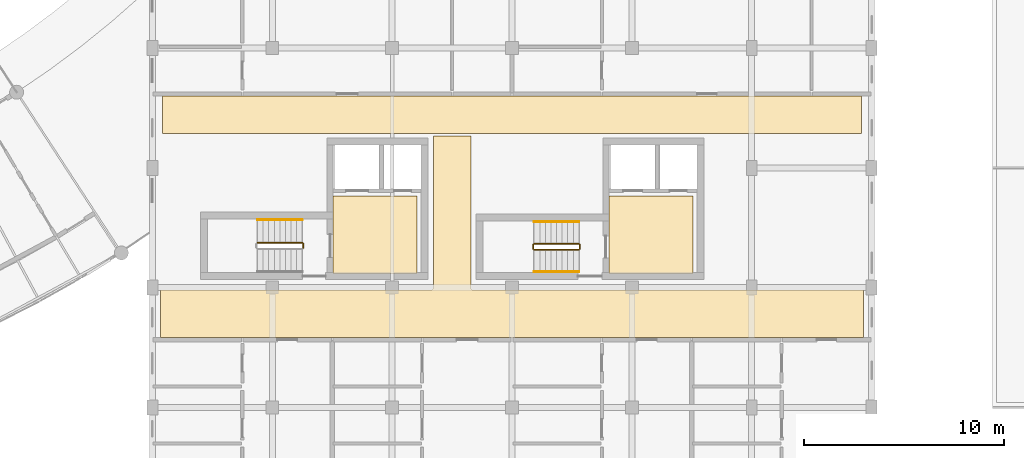
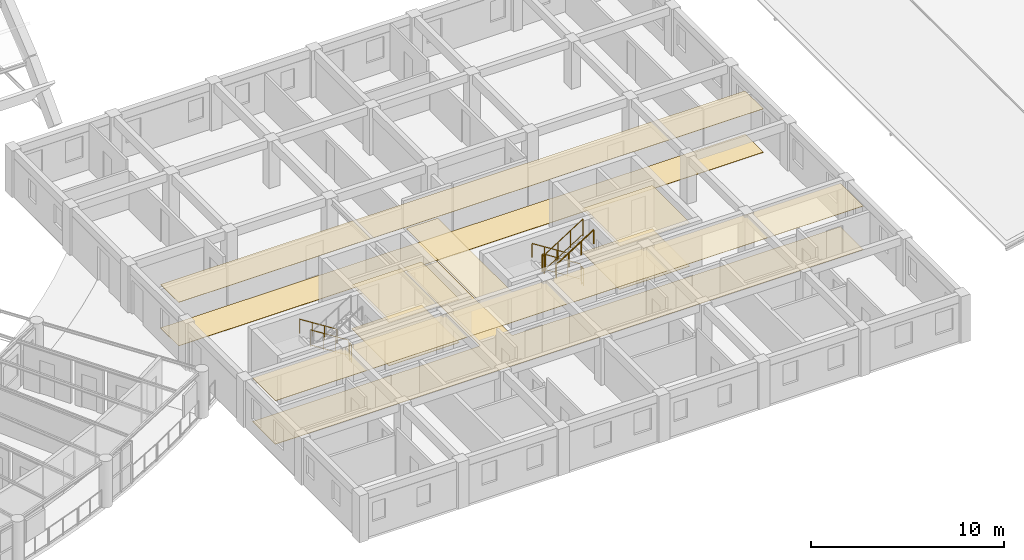
# One storey, part 114 of 123: 9 railings, 8 coverings.
"""IFC4 building model written with IfcOpenShell, lengths in metres."""

from ifc_helpers import new_model, si_unit, direction, frame, origin, origin_2d, place, context, subcontext, project, spatial, polyline, circle, outline, extrude, material, layer, layer_set, type_object, element, save


model = new_model("IFC4")

# Units and contexts
model_context = context("Model", 3, precision=1e-05, world=origin(), true_north=direction((0.0, 1.0)))
body_context = subcontext(model_context, "Body", "Model", "MODEL_VIEW")
ifc_project = project(units=[si_unit("LENGTHUNIT", "METRE"), si_unit("AREAUNIT", "SQUARE_METRE"), si_unit("VOLUMEUNIT", "CUBIC_METRE"), si_unit("PLANEANGLEUNIT", "RADIAN"), si_unit("MASSUNIT", "GRAM", prefix="KILO"), si_unit("POWERUNIT", "WATT"), si_unit("THERMODYNAMICTEMPERATUREUNIT", "KELVIN")], contexts=[model_context])

# Site, building, storey
site_placement = place(None, origin())
site = spatial("IfcSite", under=ifc_project, at=site_placement, CompositionType="ELEMENT")
building_placement = place(site_placement, origin())
building = spatial("IfcBuilding", under=site, at=building_placement, Name="Ruvembo Vaulted Housing Court", CompositionType="ELEMENT")
storey_placement = place(building_placement, frame((0.0, 0.0, 7.699951171875)))
storey = spatial("IfcBuildingStorey", under=building, at=storey_placement, Name="L02", CompositionType="ELEMENT", Elevation=7.699951171875)

# Coverings
ifc_material_1 = material(Name="Perforated Mineral-Fibre Acoustic Tile", Category="gypsum")
ifc_layer_1 = layer(ifc_material_1, 0.02001953125, Name="Perforated Mineral-Fibre Acoustic Tile")
ifc_layer_set_1 = layer_set([ifc_layer_1], Name="Perforated Mineral-Fibre Acoustic Tile")
covering_type_1 = type_object("IfcCoveringType", Name="COV-CEIL-ACOUST", PredefinedType="CEILING", material=ifc_layer_set_1)
covering_1_placement = place(storey_placement, frame((0.0, 0.0, 2.75)))
element("IfcCovering", 1, at=covering_1_placement, inside=storey, type_object=covering_type_1, Name="Protected Core Lobby C1 Ceiling", PredefinedType="CEILING", context=body_context, shape_type="SweptSolid", body=[
    extrude(outline(polyline([(115.25, 16.60009765625), (111.050048828125, 16.60009765625), (111.050048828125, 12.699951171875), (115.25, 12.699951171875), (115.25, 16.60009765625)])), origin(), (0.0, 0.0, 1.0), 0.02001953125),
])
covering_2_placement = place(storey_placement, frame((0.0, 0.0, 2.75)))
element("IfcCovering", 2, at=covering_2_placement, inside=storey, type_object=covering_type_1, Name="Protected Core Lobby C2 Ceiling", PredefinedType="CEILING", context=body_context, shape_type="SweptSolid", body=[
    extrude(outline(polyline([(129.050048828125, 16.60009765625), (124.85009765625, 16.60009765625), (124.85009765625, 12.699951171875), (129.050048828125, 12.699951171875), (129.050048828125, 16.60009765625)])), origin(), (0.0, 0.0, 1.0), 0.02001953125),
])
covering_3_placement = place(storey_placement, frame((0.0, 0.0, 2.75)))
element("IfcCovering", 3, at=covering_3_placement, inside=storey, type_object=covering_type_1, Name="Block C L02 Corridor Ceiling", PredefinedType="CEILING", context=body_context, shape_type="SweptSolid", body=[
    extrude(outline(polyline([(137.590087890625, 9.510009765625), (137.590087890625, 11.889892578125), (118.050048828125, 11.889892578125), (118.039306640625, 11.890380859375), (118.028564453125, 11.89208984375), (118.01806640625, 11.894775390625), (118.0078125, 11.8984375), (117.998046875, 11.903076171875), (117.989013671875, 11.908447265625), (117.980224609375, 11.9150390625), (117.97216796875, 11.922119140625), (117.965087890625, 11.93017578125), (117.95849609375, 11.93896484375), (117.952880859375, 11.947998046875), (117.948486328125, 11.9580078125), (117.944580078125, 11.968017578125), (117.942138671875, 11.978515625), (117.9404296875, 11.9892578125), (117.93994140625, 12.0), (117.93994140625, 19.590087890625), (116.06005859375, 19.590087890625), (116.06005859375, 12.0), (116.0595703125, 11.9892578125), (116.057861328125, 11.978515625), (116.055419921875, 11.968017578125), (116.051513671875, 11.9580078125), (116.047119140625, 11.947998046875), (116.04150390625, 11.93896484375), (116.034912109375, 11.93017578125), (116.02783203125, 11.922119140625), (116.019775390625, 11.9150390625), (116.010986328125, 11.908447265625), (116.001953125, 11.903076171875), (115.9921875, 11.8984375), (115.98193359375, 11.894775390625), (115.971435546875, 11.89208984375), (115.960693359375, 11.890380859375), (115.949951171875, 11.889892578125), (102.409912109375, 11.889892578125), (102.409912109375, 9.510009765625), (137.590087890625, 9.510009765625)])), origin(), (0.0, 0.0, 1.0), 0.02001953125),
])
covering_4_placement = place(storey_placement, frame((0.0, 0.0, 2.75)))
element("IfcCovering", 4, at=covering_4_placement, inside=storey, type_object=covering_type_1, Name="Block C L02 North Sub-Corridor Ceiling", PredefinedType="CEILING", context=body_context, shape_type="SweptSolid", body=[
    extrude(outline(polyline([(102.510009765625, 19.7099609375), (137.489990234375, 19.7099609375), (137.489990234375, 21.590087890625), (102.510009765625, 21.590087890625), (102.510009765625, 19.7099609375)])), origin(), (0.0, 0.0, 1.0), 0.02001953125),
])
ifc_material_2 = material(Name="Polished Cement-Aggregate Terrazzo", Category="stone")
ifc_layer_2 = layer(ifc_material_2, 0.02197265625, Name="Polished Cement-Aggregate Terrazzo")
ifc_layer_set_2 = layer_set([ifc_layer_2], Name="Polished Cement-Aggregate Terrazzo")
covering_type_2 = type_object("IfcCoveringType", Name="COV-FLR-CERAMIC", PredefinedType="FLOORING", material=ifc_layer_set_2)
covering_5_placement = place(storey_placement, origin())
element("IfcCovering", 5, at=covering_5_placement, inside=storey, type_object=covering_type_2, Name="Protected Core Lobby C1 Flooring", PredefinedType="FLOORING", context=body_context, shape_type="SweptSolid", body=[
    extrude(outline(polyline([(115.25, 16.60009765625), (111.050048828125, 16.60009765625), (111.050048828125, 12.699951171875), (115.25, 12.699951171875), (115.25, 16.60009765625)])), origin(), (0.0, 0.0, 1.0), 0.02197265625),
])
covering_6_placement = place(storey_placement, origin())
element("IfcCovering", 6, at=covering_6_placement, inside=storey, type_object=covering_type_2, Name="Protected Core Lobby C2 Flooring", PredefinedType="FLOORING", context=body_context, shape_type="SweptSolid", body=[
    extrude(outline(polyline([(129.050048828125, 16.60009765625), (124.85009765625, 16.60009765625), (124.85009765625, 12.699951171875), (129.050048828125, 12.699951171875), (129.050048828125, 16.60009765625)])), origin(), (0.0, 0.0, 1.0), 0.02197265625),
])
covering_7_placement = place(storey_placement, origin())
element("IfcCovering", 7, at=covering_7_placement, inside=storey, type_object=covering_type_2, Name="Block C L02 Corridor Flooring", PredefinedType="FLOORING", context=body_context, shape_type="SweptSolid", body=[
    extrude(outline(polyline([(137.590087890625, 9.510009765625), (137.590087890625, 11.889892578125), (118.050048828125, 11.889892578125), (118.039306640625, 11.890380859375), (118.028564453125, 11.89208984375), (118.01806640625, 11.894775390625), (118.0078125, 11.8984375), (117.998046875, 11.903076171875), (117.989013671875, 11.908447265625), (117.980224609375, 11.9150390625), (117.97216796875, 11.922119140625), (117.965087890625, 11.93017578125), (117.95849609375, 11.93896484375), (117.952880859375, 11.947998046875), (117.948486328125, 11.9580078125), (117.944580078125, 11.968017578125), (117.942138671875, 11.978515625), (117.9404296875, 11.9892578125), (117.93994140625, 12.0), (117.93994140625, 19.590087890625), (116.06005859375, 19.590087890625), (116.06005859375, 12.0), (116.0595703125, 11.9892578125), (116.057861328125, 11.978515625), (116.055419921875, 11.968017578125), (116.051513671875, 11.9580078125), (116.047119140625, 11.947998046875), (116.04150390625, 11.93896484375), (116.034912109375, 11.93017578125), (116.02783203125, 11.922119140625), (116.019775390625, 11.9150390625), (116.010986328125, 11.908447265625), (116.001953125, 11.903076171875), (115.9921875, 11.8984375), (115.98193359375, 11.894775390625), (115.971435546875, 11.89208984375), (115.960693359375, 11.890380859375), (115.949951171875, 11.889892578125), (102.409912109375, 11.889892578125), (102.409912109375, 9.510009765625), (137.590087890625, 9.510009765625)])), origin(), (0.0, 0.0, 1.0), 0.02197265625),
])
covering_8_placement = place(storey_placement, origin())
element("IfcCovering", 8, at=covering_8_placement, inside=storey, type_object=covering_type_2, Name="Block C L02 North Sub-Corridor Flooring", PredefinedType="FLOORING", context=body_context, shape_type="SweptSolid", body=[
    extrude(outline(polyline([(102.510009765625, 19.7099609375), (137.489990234375, 19.7099609375), (137.489990234375, 21.590087890625), (102.510009765625, 21.590087890625), (102.510009765625, 19.7099609375)])), origin(), (0.0, 0.0, 1.0), 0.02197265625),
])

# Railings
ifc_material_3 = material(Name="Painted Galvanised Steel S275", Category="steel")
ifc_layer_3 = layer(ifc_material_3, 0.06005859375, Name="Painted Galvanised Steel S275")
ifc_layer_set_3 = layer_set([ifc_layer_3], Name="Painted Galvanised Steel S275")
railing_type_1 = type_object("IfcRailingType", Name="RL-STAIR-GR1100", PredefinedType="GUARDRAIL", material=ifc_layer_set_3)
railing_1_placement = place(storey_placement, frame((109.5, 14.25, 0.177734375)))
element("IfcRailing", 9, at=railing_1_placement, inside=storey, type_object=railing_type_1, Name="L02 ST-C1 stair guard 1", PredefinedType="GUARDRAIL", context=body_context, shape_type="SweptSolid", body=[
    extrude(circle(Radius=0.02392578125, at=origin_2d()), frame((0.0, 0.0, 1.076171875), z_axis=(-0.84418770128, 0.0, 0.536047689118), x_axis=(0.0, -1.0, 0.0)), (0.0, 0.0, 1.0), 2.6533203125),
    extrude(circle(Radius=0.01806640625, at=origin_2d()), frame((0.0, 0.0, 0.1201171875), z_axis=(-0.84418770128, 0.0, 0.536047689118), x_axis=(0.0, -1.0, 0.0)), (0.0, 0.0, 1.0), 2.6533203125),
    extrude(circle(Radius=0.02099609375, at=origin_2d()), origin(), (0.0, 0.0, 1.0), 1.052001953125),
    extrude(circle(Radius=0.02099609375, at=origin_2d()), frame((-0.74658203125, 0.0, 0.47412109375)), (0.0, 0.0, 1.0), 1.052001953125),
    extrude(circle(Radius=0.02099609375, at=origin_2d()), frame((-1.493408203125, 0.0, 0.9482421875)), (0.0, 0.0, 1.0), 1.052001953125),
    extrude(circle(Radius=0.02099609375, at=origin_2d()), frame((-2.239990234375, 0.0, 1.42236328125)), (0.0, 0.0, 1.0), 1.052001953125),
])
railing_2_placement = place(storey_placement, frame((109.550048828125, 14.199951171875, 0.0)))
element("IfcRailing", 10, at=railing_2_placement, inside=storey, type_object=railing_type_1, Name="L02 ST-C1 stair guard 4", PredefinedType="GUARDRAIL", context=body_context, shape_type="SweptSolid", body=[
    extrude(circle(Radius=0.02392578125, at=origin_2d()), frame((0.0, 0.0, 1.076171875), z_axis=(0.0, -1.0, 0.0), x_axis=(1.0, 0.0, 0.0)), (0.0, 0.0, 1.0), 0.199951171875),
    extrude(circle(Radius=0.01806640625, at=origin_2d()), frame((0.0, 0.0, 0.1201171875), z_axis=(0.0, -1.0, 0.0), x_axis=(1.0, 0.0, 0.0)), (0.0, 0.0, 1.0), 0.199951171875),
    extrude(circle(Radius=0.02099609375, at=origin_2d()), origin(), (0.0, 0.0, 1.0), 1.052001953125),
    extrude(circle(Radius=0.02099609375, at=origin_2d()), frame((0.0, -0.199951171875, 0.0)), (0.0, 0.0, 1.0), 1.052001953125),
])
railing_3_placement = place(storey_placement, frame((123.35009765625, 14.199951171875, 0.177734375)))
element("IfcRailing", 11, at=railing_3_placement, inside=storey, type_object=railing_type_1, Name="L02 ST-C2 stair guard 1", PredefinedType="GUARDRAIL", context=body_context, shape_type="SweptSolid", body=[
    extrude(circle(Radius=0.02392578125, at=origin_2d()), frame((0.0, 0.0, 1.076171875), z_axis=(-0.84418770128, 0.0, 0.536047689118), x_axis=(0.0, -1.0, 0.0)), (0.0, 0.0, 1.0), 2.6533203125),
    extrude(circle(Radius=0.01806640625, at=origin_2d()), frame((0.0, 0.0, 0.1201171875), z_axis=(-0.84418770128, 0.0, 0.536047689118), x_axis=(0.0, -1.0, 0.0)), (0.0, 0.0, 1.0), 2.6533203125),
    extrude(circle(Radius=0.02099609375, at=origin_2d()), origin(), (0.0, 0.0, 1.0), 1.052001953125),
    extrude(circle(Radius=0.02099609375, at=origin_2d()), frame((-0.74658203125, 0.0, 0.47412109375)), (0.0, 0.0, 1.0), 1.052001953125),
    extrude(circle(Radius=0.02099609375, at=origin_2d()), frame((-1.493408203125, 0.0, 0.9482421875)), (0.0, 0.0, 1.0), 1.052001953125),
    extrude(circle(Radius=0.02099609375, at=origin_2d()), frame((-2.239990234375, 0.0, 1.42236328125)), (0.0, 0.0, 1.0), 1.052001953125),
])
railing_4_placement = place(storey_placement, frame((121.06005859375, 14.14990234375, 1.60009765625)))
element("IfcRailing", 12, at=railing_4_placement, inside=storey, type_object=railing_type_1, Name="L02 ST-C2 stair guard 2", PredefinedType="GUARDRAIL", context=body_context, shape_type="SweptSolid", body=[
    extrude(circle(Radius=0.02392578125, at=origin_2d()), frame((0.0, 0.0, 1.076171875), z_axis=(0.0, -1.0, 0.0), x_axis=(1.0, 0.0, 0.0)), (0.0, 0.0, 1.0), 0.199951171875),
    extrude(circle(Radius=0.01806640625, at=origin_2d()), frame((0.0, 0.0, 0.1201171875), z_axis=(0.0, -1.0, 0.0), x_axis=(1.0, 0.0, 0.0)), (0.0, 0.0, 1.0), 0.199951171875),
    extrude(circle(Radius=0.02099609375, at=origin_2d()), origin(), (0.0, 0.0, 1.0), 1.052001953125),
    extrude(circle(Radius=0.02099609375, at=origin_2d()), frame((0.0, -0.199951171875, 0.0)), (0.0, 0.0, 1.0), 1.052001953125),
])
railing_5_placement = place(storey_placement, frame((121.110107421875, 13.89990234375, 1.77783203125)))
element("IfcRailing", 13, at=railing_5_placement, inside=storey, type_object=railing_type_1, Name="L02 ST-C2 stair guard 3", PredefinedType="GUARDRAIL", context=body_context, shape_type="SweptSolid", body=[
    extrude(circle(Radius=0.02392578125, at=origin_2d()), frame((0.0, 0.0, 1.076171875), z_axis=(0.8442293374, 0.0, 0.53598211339), x_axis=(0.0, 1.0, 0.0)), (0.0, 0.0, 1.0), 2.6533203125),
    extrude(circle(Radius=0.01806640625, at=origin_2d()), frame((0.0, 0.0, 0.1201171875), z_axis=(0.8442293374, 0.0, 0.53598211339), x_axis=(0.0, 1.0, 0.0)), (0.0, 0.0, 1.0), 2.6533203125),
    extrude(circle(Radius=0.02099609375, at=origin_2d()), origin(), (0.0, 0.0, 1.0), 1.052001953125),
    extrude(circle(Radius=0.02099609375, at=origin_2d()), frame((0.74658203125, 0.0, 0.47412109375)), (0.0, 0.0, 1.0), 1.052001953125),
    extrude(circle(Radius=0.02099609375, at=origin_2d()), frame((1.493408203125, 0.0, 0.947998046875)), (0.0, 0.0, 1.0), 1.052001953125),
    extrude(circle(Radius=0.02099609375, at=origin_2d()), frame((2.239990234375, 0.0, 1.422119140625)), (0.0, 0.0, 1.0), 1.052001953125),
])
railing_6_placement = place(storey_placement, frame((123.39990234375, 14.14990234375, 0.0)))
element("IfcRailing", 14, at=railing_6_placement, inside=storey, type_object=railing_type_1, Name="L02 ST-C2 stair guard 4", PredefinedType="GUARDRAIL", context=body_context, shape_type="SweptSolid", body=[
    extrude(circle(Radius=0.02392578125, at=origin_2d()), frame((0.0, 0.0, 1.076171875), z_axis=(0.0, -1.0, 0.0), x_axis=(1.0, 0.0, 0.0)), (0.0, 0.0, 1.0), 0.199951171875),
    extrude(circle(Radius=0.01806640625, at=origin_2d()), frame((0.0, 0.0, 0.1201171875), z_axis=(0.0, -1.0, 0.0), x_axis=(1.0, 0.0, 0.0)), (0.0, 0.0, 1.0), 0.199951171875),
    extrude(circle(Radius=0.02099609375, at=origin_2d()), origin(), (0.0, 0.0, 1.0), 1.052001953125),
    extrude(circle(Radius=0.02099609375, at=origin_2d()), frame((0.0, -0.199951171875, 0.0)), (0.0, 0.0, 1.0), 1.052001953125),
])
ifc_material_4 = material(Name="Brushed Stainless Steel 304", Category="steel")
ifc_layer_4 = layer(ifc_material_4, 0.050048828125, Name="Brushed Stainless Steel 304")
ifc_layer_set_4 = layer_set([ifc_layer_4], Name="Brushed Stainless Steel 304")
railing_type_2 = type_object("IfcRailingType", Name="RL-STAIR-HR920", PredefinedType="HANDRAIL", material=ifc_layer_set_4)
for number, where, name in (
    (15, (109.5, 15.39990234375, 0.359375), "L02 ST-C1 stair handrail 1"),
    (16, (123.35009765625, 15.300048828125, 0.359375), "L02 ST-C2 stair handrail 1"),
):
    element("IfcRailing", number, at=place(storey_placement, frame(where)), inside=storey, type_object=railing_type_2, Name=name, PredefinedType="HANDRAIL", context=body_context, shape_type="SweptSolid", body=[
        extrude(circle(Radius=0.02392578125, at=origin_2d()), frame((0.0, 0.0, 0.8759765625), z_axis=(-0.8442293374, 0.0, 0.53598211339), x_axis=(0.0, -1.0, 0.0)), (0.0, 0.0, 1.0), 2.6533203125),
        extrude(circle(Radius=0.02099609375, at=origin_2d()), origin(), (0.0, 0.0, 1.0), 0.851806640625),
        extrude(circle(Radius=0.02099609375, at=origin_2d()), frame((-0.74658203125, 0.0, 0.47412109375)), (0.0, 0.0, 1.0), 0.851806640625),
        extrude(circle(Radius=0.02099609375, at=origin_2d()), frame((-1.493408203125, 0.0, 0.947998046875)), (0.0, 0.0, 1.0), 0.851806640625),
        extrude(circle(Radius=0.02099609375, at=origin_2d()), frame((-2.239990234375, 0.0, 1.422119140625)), (0.0, 0.0, 1.0), 0.851806640625),
    ])
railing_7_placement = place(storey_placement, frame((121.110107421875, 12.800048828125, 1.959228515625)))
element("IfcRailing", 17, at=railing_7_placement, inside=storey, type_object=railing_type_2, Name="L02 ST-C2 stair handrail 2", PredefinedType="HANDRAIL", context=body_context, shape_type="SweptSolid", body=[
    extrude(circle(Radius=0.02392578125, at=origin_2d()), frame((0.0, 0.0, 0.8759765625), z_axis=(0.84418770128, 0.0, 0.536047689118), x_axis=(0.0, 1.0, 0.0)), (0.0, 0.0, 1.0), 2.6533203125),
    extrude(circle(Radius=0.02099609375, at=origin_2d()), origin(), (0.0, 0.0, 1.0), 0.851806640625),
    extrude(circle(Radius=0.02099609375, at=origin_2d()), frame((0.74658203125, 0.0, 0.47412109375)), (0.0, 0.0, 1.0), 0.851806640625),
    extrude(circle(Radius=0.02099609375, at=origin_2d()), frame((1.493408203125, 0.0, 0.9482421875)), (0.0, 0.0, 1.0), 0.851806640625),
    extrude(circle(Radius=0.02099609375, at=origin_2d()), frame((2.239990234375, 0.0, 1.42236328125)), (0.0, 0.0, 1.0), 0.851806640625),
])

save(model, "model.ifc")
